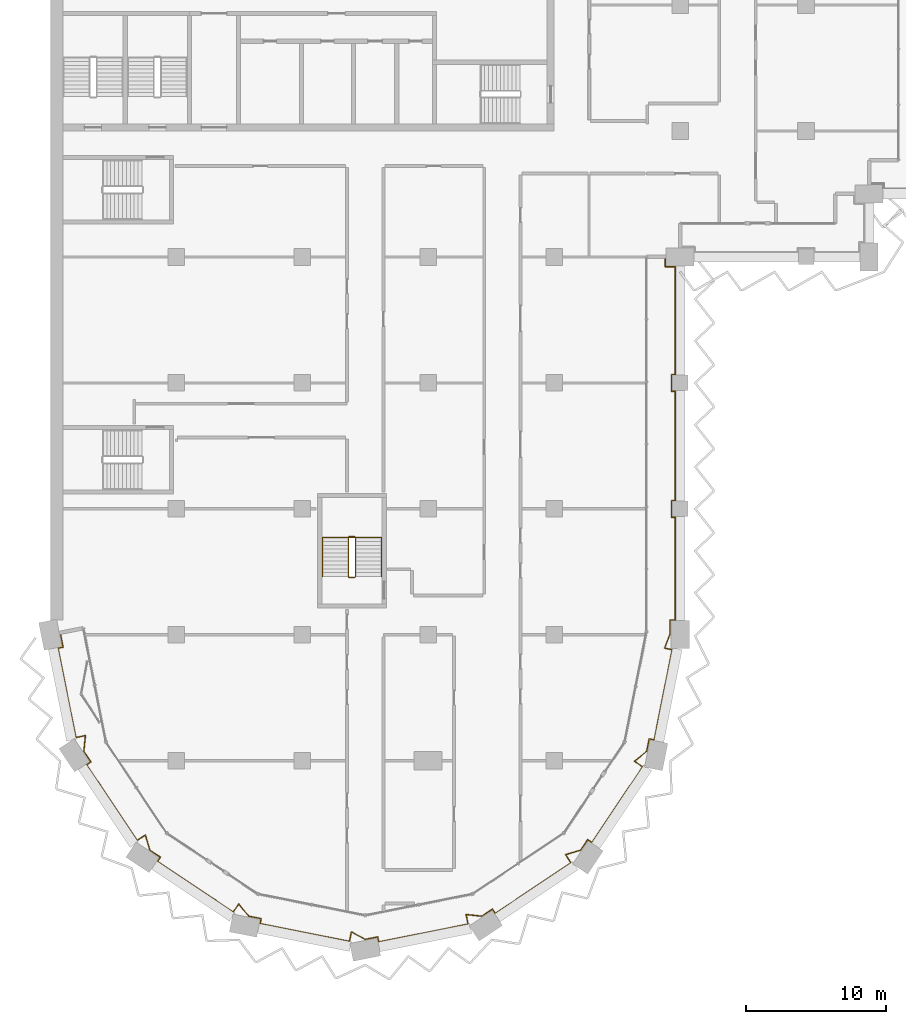
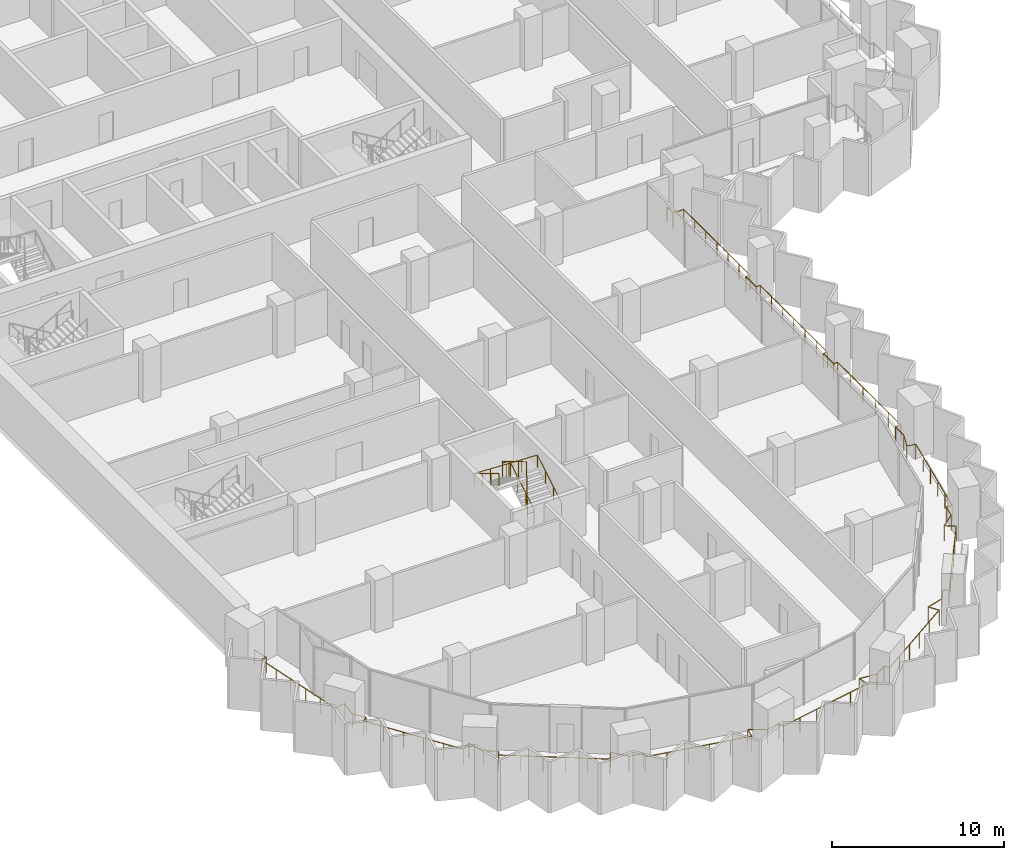
# One storey, part 20 of 23: 3 railings.
"""IFC4 building model written with IfcOpenShell, lengths in metres."""

from ifc_helpers import new_model, si_unit, direction, frame, origin, origin_2d, place, context, subcontext, project, spatial, circle, extrude, material, type_object, element, save


model = new_model("IFC4")

# Units and contexts
model_context = context("Model", 3, precision=1e-05, world=origin(), true_north=direction((0.0, 1.0)))
body_context = subcontext(model_context, "Body", "Model", "MODEL_VIEW")
ifc_project = project(units=[si_unit("LENGTHUNIT", "METRE"), si_unit("AREAUNIT", "SQUARE_METRE"), si_unit("VOLUMEUNIT", "CUBIC_METRE"), si_unit("PLANEANGLEUNIT", "RADIAN"), si_unit("MASSUNIT", "GRAM", prefix="KILO")], contexts=[model_context])

# Site, building, storey
site_placement = place(None, origin())
site = spatial("IfcSite", under=ifc_project, at=site_placement, CompositionType="ELEMENT")
building_placement = place(site_placement, origin())
building = spatial("IfcBuilding", under=site, at=building_placement, Name="Hunhe Ridgeline Campus", CompositionType="ELEMENT")
storey_placement = place(building_placement, frame((0.0, 0.0, 167.10009765625)))
storey = spatial("IfcBuildingStorey", under=building, at=storey_placement, Name="L42", CompositionType="ELEMENT", Elevation=167.10009765625)

# Railings
ifc_material_1 = material(Name="Steel Q355", Category="steel")
railing_type_1 = type_object("IfcRailingType", Name="Loggia guard 1100 Steel Q355", PredefinedType="GUARDRAIL", material=ifc_material_1)
railing_1_placement = place(storey_placement, frame((0.7060546875, 27.140380859375, 0.0)))
element("IfcRailing", 1, at=railing_1_placement, inside=storey, type_object=railing_type_1, Name="Loggia guard 1", PredefinedType="GUARDRAIL", context=body_context, shape_type="SweptSolid", body=[
    extrude(circle(Radius=0.02392578125, at=origin_2d()), frame((0.0, 0.0, 1.076171875), z_axis=(0.195087556151, -0.980785830564, 0.0), x_axis=(0.980785830564, 0.195087556151, 0.0)), (0.0, 0.0, 1.0), 1.050048828125),
    extrude(circle(Radius=0.02392578125, at=origin_2d()), frame((0.204833984375, -1.02978515625, 1.076171875), z_axis=(-0.980858940504, -0.194719641621, 0.0), x_axis=(0.194719641621, -0.980858940504, 0.0)), (0.0, 0.0, 1.0), 0.369873046875),
    extrude(circle(Radius=0.02392578125, at=origin_2d()), frame((-0.157958984375, -1.101806640625, 1.076171875), z_axis=(0.19507695386, -0.9807879394, 0.0), x_axis=(0.9807879394, 0.19507695386, 0.0)), (0.0, 0.0, 1.0), 6.506591796875),
    extrude(circle(Radius=0.02392578125, at=origin_2d()), frame((1.111328125, -7.4833984375, 1.076171875), z_axis=(0.980780459814, 0.195114555191, 0.0), x_axis=(-0.195114555191, 0.980780459814, 0.0)), (0.0, 0.0, 1.0), 0.703125),
    extrude(circle(Radius=0.02392578125, at=origin_2d()), frame((1.801025390625, -7.34619140625, 1.076171875), z_axis=(-0.102884402445, -0.994693319437, 0.0), x_axis=(0.994693319437, -0.102884402445, 0.0)), (0.0, 0.0, 1.0), 1.129638671875),
    extrude(circle(Radius=0.02392578125, at=origin_2d()), frame((1.684814453125, -8.4697265625, 1.076171875), z_axis=(0.555569523548, -0.831470086356, 0.0), x_axis=(0.831470086356, 0.555569523548, 0.0)), (0.0, 0.0, 1.0), 0.906982421875),
    extrude(circle(Radius=0.02392578125, at=origin_2d()), frame((2.188720703125, -9.223876953125, 1.076171875), z_axis=(-0.831440678638, -0.555613532868, 0.0), x_axis=(0.555613532868, -0.831440678638, 0.0)), (0.0, 0.0, 1.0), 0.369873046875),
    extrude(circle(Radius=0.02392578125, at=origin_2d()), frame((1.881103515625, -9.429443359375, 1.076171875), z_axis=(0.55556581165, -0.83147256655, 0.0), x_axis=(0.83147256655, 0.55556581165, 0.0)), (0.0, 0.0, 1.0), 6.50634765625),
    extrude(circle(Radius=0.02392578125, at=origin_2d()), frame((5.495849609375, -14.83935546875, 1.076171875), z_axis=(0.831355400166, 0.555741125539, 0.0), x_axis=(-0.555741125539, 0.831355400166, 0.0)), (0.0, 0.0, 1.0), 0.703369140625),
    extrude(circle(Radius=0.02392578125, at=origin_2d()), frame((6.08056640625, -14.448486328125, 1.076171875), z_axis=(0.285463917281, -0.958389457335, 0.0), x_axis=(0.958389457335, 0.285463917281, 0.0)), (0.0, 0.0, 1.0), 1.1298828125),
    extrude(circle(Radius=0.02392578125, at=origin_2d()), frame((6.403076171875, -15.53125, 1.076171875), z_axis=(0.831511358569, -0.555507750235, 0.0), x_axis=(0.555507750235, 0.831511358569, 0.0)), (0.0, 0.0, 1.0), 0.90673828125),
    extrude(circle(Radius=0.02392578125, at=origin_2d()), frame((7.156982421875, -16.034912109375, 1.076171875), z_axis=(-0.555613532868, -0.831440678638, 0.0), x_axis=(0.831440678638, -0.555613532868, 0.0)), (0.0, 0.0, 1.0), 0.369873046875),
    extrude(circle(Radius=0.02392578125, at=origin_2d()), frame((6.951416015625, -16.342529296875, 1.076171875), z_axis=(0.831455233209, -0.555591752251, 0.0), x_axis=(0.555591752251, 0.831455233209, 0.0)), (0.0, 0.0, 1.0), 6.506591796875),
    extrude(circle(Radius=0.02392578125, at=origin_2d()), frame((12.361328125, -19.95751953125, 1.076171875), z_axis=(0.555741125539, 0.831355400166, 0.0), x_axis=(-0.831355400166, 0.555741125539, 0.0)), (0.0, 0.0, 1.0), 0.703369140625),
    extrude(circle(Radius=0.02392578125, at=origin_2d()), frame((12.752197265625, -19.372802734375, 1.076171875), z_axis=(0.630633305327, -0.776080945657, 0.0), x_axis=(0.776080945657, 0.630633305327, 0.0)), (0.0, 0.0, 1.0), 1.129638671875),
    extrude(circle(Radius=0.02392578125, at=origin_2d()), frame((13.464599609375, -20.24951171875, 1.076171875), z_axis=(0.980807887006, -0.194976636516, 0.0), x_axis=(0.194976636516, 0.980807887006, 0.0)), (0.0, 0.0, 1.0), 0.906494140625),
    extrude(circle(Radius=0.02392578125, at=origin_2d()), frame((14.353759765625, -20.42626953125, 1.076171875), z_axis=(-0.194593653816, -0.980883943132, 0.0), x_axis=(0.980883943132, -0.194593653816, 0.0)), (0.0, 0.0, 1.0), 0.3701171875),
    extrude(circle(Radius=0.02392578125, at=origin_2d()), frame((14.28173828125, -20.789306640625, 1.076171875), z_axis=(0.98078651142, -0.195084133173, 0.0), x_axis=(0.195084133173, 0.98078651142, 0.0)), (0.0, 0.0, 1.0), 6.50634765625),
    extrude(circle(Radius=0.02392578125, at=origin_2d()), frame((20.6630859375, -22.05859375, 1.076171875), z_axis=(0.195114555191, 0.980780459814, 0.0), x_axis=(-0.980780459814, 0.195114555191, 0.0)), (0.0, 0.0, 1.0), 0.703125),
    extrude(circle(Radius=0.02392578125, at=origin_2d()), frame((20.80029296875, -21.368896484375, 1.076171875), z_axis=(0.879616090555, -0.475684278946, 0.0), x_axis=(0.475684278946, 0.879616090555, 0.0)), (0.0, 0.0, 1.0), 1.129638671875),
    extrude(circle(Radius=0.02392578125, at=origin_2d()), frame((21.7939453125, -21.90625, 1.076171875), z_axis=(0.98081812081, 0.194925149456, 0.0), x_axis=(-0.194925149456, 0.98081812081, 0.0)), (0.0, 0.0, 1.0), 0.90673828125),
    extrude(circle(Radius=0.02392578125, at=origin_2d()), frame((22.683349609375, -21.7294921875, 1.076171875), z_axis=(0.194719641621, -0.980858940504, 0.0), x_axis=(0.980858940504, 0.194719641621, 0.0)), (0.0, 0.0, 1.0), 0.369873046875),
    extrude(circle(Radius=0.02392578125, at=origin_2d()), frame((22.75537109375, -22.09228515625, 1.076171875), z_axis=(0.9807879394, 0.19507695386, 0.0), x_axis=(-0.19507695386, 0.9807879394, 0.0)), (0.0, 0.0, 1.0), 6.506591796875),
    extrude(circle(Radius=0.02392578125, at=origin_2d()), frame((29.136962890625, -20.822998046875, 1.076171875), z_axis=(-0.195114555191, 0.980780459814, 0.0), x_axis=(-0.980780459814, -0.195114555191, 0.0)), (0.0, 0.0, 1.0), 0.703125),
    extrude(circle(Radius=0.02392578125, at=origin_2d()), frame((28.999755859375, -20.13330078125, 1.076171875), z_axis=(0.994693319437, -0.102884402445, 0.0), x_axis=(0.102884402445, 0.994693319437, 0.0)), (0.0, 0.0, 1.0), 1.129638671875),
    extrude(circle(Radius=0.02392578125, at=origin_2d()), frame((30.123291015625, -20.24951171875, 1.076171875), z_axis=(0.831470086356, 0.555569523548, 0.0), x_axis=(-0.555569523548, 0.831470086356, 0.0)), (0.0, 0.0, 1.0), 0.906982421875),
    extrude(circle(Radius=0.02392578125, at=origin_2d()), frame((30.87744140625, -19.74560546875, 1.076171875), z_axis=(0.555613532868, -0.831440678638, 0.0), x_axis=(0.831440678638, 0.555613532868, 0.0)), (0.0, 0.0, 1.0), 0.369873046875),
    extrude(circle(Radius=0.02392578125, at=origin_2d()), frame((31.0830078125, -20.05322265625, 1.076171875), z_axis=(0.83147256655, 0.55556581165, 0.0), x_axis=(-0.55556581165, 0.83147256655, 0.0)), (0.0, 0.0, 1.0), 6.50634765625),
    extrude(circle(Radius=0.02392578125, at=origin_2d()), frame((36.492919921875, -16.4384765625, 1.076171875), z_axis=(-0.555741125539, 0.831355400166, 0.0), x_axis=(-0.831355400166, -0.555741125539, 0.0)), (0.0, 0.0, 1.0), 0.703369140625),
    extrude(circle(Radius=0.02392578125, at=origin_2d()), frame((36.10205078125, -15.853759765625, 1.076171875), z_axis=(0.958389457335, 0.285463917281, 0.0), x_axis=(-0.285463917281, 0.958389457335, 0.0)), (0.0, 0.0, 1.0), 1.1298828125),
    extrude(circle(Radius=0.02392578125, at=origin_2d()), frame((37.184814453125, -15.53125, 1.076171875), z_axis=(0.555507750235, 0.831511358569, 0.0), x_axis=(-0.831511358569, 0.555507750235, 0.0)), (0.0, 0.0, 1.0), 0.90673828125),
    extrude(circle(Radius=0.02392578125, at=origin_2d()), frame((37.6884765625, -14.77734375, 1.076171875), z_axis=(0.831440678638, -0.555613532868, 0.0), x_axis=(0.555613532868, 0.831440678638, 0.0)), (0.0, 0.0, 1.0), 0.369873046875),
    extrude(circle(Radius=0.02392578125, at=origin_2d()), frame((37.99609375, -14.98291015625, 1.076171875), z_axis=(0.555591752251, 0.831455233209, 0.0), x_axis=(-0.831455233209, 0.555591752251, 0.0)), (0.0, 0.0, 1.0), 6.506591796875),
    extrude(circle(Radius=0.02392578125, at=origin_2d()), frame((41.611083984375, -9.572998046875, 1.076171875), z_axis=(-0.831355400166, 0.555741125539, 0.0), x_axis=(-0.555741125539, -0.831355400166, 0.0)), (0.0, 0.0, 1.0), 0.703369140625),
    extrude(circle(Radius=0.02392578125, at=origin_2d()), frame((41.0263671875, -9.18212890625, 1.076171875), z_axis=(0.776080945657, 0.630633305327, 0.0), x_axis=(-0.630633305327, 0.776080945657, 0.0)), (0.0, 0.0, 1.0), 1.129638671875),
    extrude(circle(Radius=0.02392578125, at=origin_2d()), frame((41.903076171875, -8.4697265625, 1.076171875), z_axis=(0.194976636516, 0.980807887006, 0.0), x_axis=(-0.980807887006, 0.194976636516, 0.0)), (0.0, 0.0, 1.0), 0.906494140625),
    extrude(circle(Radius=0.02392578125, at=origin_2d()), frame((42.079833984375, -7.58056640625, 1.076171875), z_axis=(0.980883943132, -0.194593653816, 0.0), x_axis=(0.194593653816, 0.980883943132, 0.0)), (0.0, 0.0, 1.0), 0.3701171875),
    extrude(circle(Radius=0.02392578125, at=origin_2d()), frame((42.44287109375, -7.652587890625, 1.076171875), z_axis=(0.195087191819, 0.980785903033, 0.0), x_axis=(-0.980785903033, 0.195087191819, 0.0)), (0.0, 0.0, 1.0), 6.5712890625),
    extrude(circle(Radius=0.02392578125, at=origin_2d()), frame((43.724853515625, -1.20751953125, 1.076171875), z_axis=(-0.9807502228, 0.195266485801, 0.0), x_axis=(-0.195266485801, -0.9807502228, 0.0)), (0.0, 0.0, 1.0), 0.552734375),
    extrude(circle(Radius=0.02392578125, at=origin_2d()), frame((43.182861328125, -1.099609375, 1.076171875), z_axis=(0.354981524628, 0.934873316109, 0.0), x_axis=(-0.934873316109, 0.354981524628, 0.0)), (0.0, 0.0, 1.0), 1.101806640625),
    extrude(circle(Radius=0.02392578125, at=origin_2d()), frame((43.573974609375, -0.069580078125, 1.076171875), z_axis=(0.0, 1.0, 0.0), x_axis=(-1.0, 0.0, 0.0)), (0.0, 0.0, 1.0), 0.979248046875),
    extrude(circle(Radius=0.02392578125, at=origin_2d()), frame((43.573974609375, 0.90966796875, 1.076171875), z_axis=(1.0, 0.0, 0.0), x_axis=(0.0, 1.0, 0.0)), (0.0, 0.0, 1.0), 0.369873046875),
    extrude(circle(Radius=0.02392578125, at=origin_2d()), frame((43.94384765625, 0.90966796875, 1.076171875), z_axis=(0.0, 1.0, 0.0), x_axis=(-1.0, 0.0, 0.0)), (0.0, 0.0, 1.0), 7.349853515625),
    extrude(circle(Radius=0.02392578125, at=origin_2d()), frame((43.94384765625, 8.259521484375, 1.076171875), z_axis=(-1.0, 0.0, 0.0), x_axis=(0.0, -1.0, 0.0)), (0.0, 0.0, 1.0), 0.27001953125),
    extrude(circle(Radius=0.02392578125, at=origin_2d()), frame((43.673828125, 8.259521484375, 1.076171875), z_axis=(0.0, 1.0, 0.0), x_axis=(-1.0, 0.0, 0.0)), (0.0, 0.0, 1.0), 1.2001953125),
    extrude(circle(Radius=0.02392578125, at=origin_2d()), frame((43.673828125, 9.459716796875, 1.076171875), z_axis=(1.0, 0.0, 0.0), x_axis=(0.0, 1.0, 0.0)), (0.0, 0.0, 1.0), 0.27001953125),
    extrude(circle(Radius=0.02392578125, at=origin_2d()), frame((43.94384765625, 9.459716796875, 1.076171875), z_axis=(0.0, 1.0, 0.0), x_axis=(-1.0, 0.0, 0.0)), (0.0, 0.0, 1.0), 7.7998046875),
    extrude(circle(Radius=0.02392578125, at=origin_2d()), frame((43.94384765625, 17.259521484375, 1.076171875), z_axis=(-1.0, 0.0, 0.0), x_axis=(0.0, -1.0, 0.0)), (0.0, 0.0, 1.0), 0.27001953125),
    extrude(circle(Radius=0.02392578125, at=origin_2d()), frame((43.673828125, 17.259521484375, 1.076171875), z_axis=(0.0, 1.0, 0.0), x_axis=(-1.0, 0.0, 0.0)), (0.0, 0.0, 1.0), 1.2001953125),
    extrude(circle(Radius=0.02392578125, at=origin_2d()), frame((43.673828125, 18.459716796875, 1.076171875), z_axis=(1.0, 0.0, 0.0), x_axis=(0.0, 1.0, 0.0)), (0.0, 0.0, 1.0), 0.27001953125),
    extrude(circle(Radius=0.02392578125, at=origin_2d()), frame((43.94384765625, 18.459716796875, 1.076171875), z_axis=(0.0, 1.0, 0.0), x_axis=(-1.0, 0.0, 0.0)), (0.0, 0.0, 1.0), 7.699951171875),
    extrude(circle(Radius=0.02392578125, at=origin_2d()), frame((43.94384765625, 26.15966796875, 1.076171875), z_axis=(-1.0, 0.0, 0.0), x_axis=(0.0, -1.0, 0.0)), (0.0, 0.0, 1.0), 0.719970703125),
    extrude(circle(Radius=0.02392578125, at=origin_2d()), frame((43.223876953125, 26.15966796875, 1.076171875), z_axis=(0.0, 1.0, 0.0), x_axis=(-1.0, 0.0, 0.0)), (0.0, 0.0, 1.0), 0.699951171875),
    extrude(circle(Radius=0.02099609375, at=origin_2d()), origin(), (0.0, 0.0, 1.0), 1.052001953125),
    extrude(circle(Radius=0.02099609375, at=origin_2d()), frame((0.204833984375, -1.02978515625, 0.0)), (0.0, 0.0, 1.0), 1.052001953125),
    extrude(circle(Radius=0.02099609375, at=origin_2d()), frame((-0.157958984375, -1.101806640625, 0.0)), (0.0, 0.0, 1.0), 1.052001953125),
    extrude(circle(Radius=0.02099609375, at=origin_2d()), frame((0.095947265625, -2.378173828125, 0.0)), (0.0, 0.0, 1.0), 1.052001953125),
    extrude(circle(Radius=0.02099609375, at=origin_2d()), frame((0.349853515625, -3.654541015625, 0.0)), (0.0, 0.0, 1.0), 1.052001953125),
    extrude(circle(Radius=0.02099609375, at=origin_2d()), frame((0.603515625, -4.9306640625, 0.0)), (0.0, 0.0, 1.0), 1.052001953125),
    extrude(circle(Radius=0.02099609375, at=origin_2d()), frame((0.857421875, -6.20703125, 0.0)), (0.0, 0.0, 1.0), 1.052001953125),
    extrude(circle(Radius=0.02099609375, at=origin_2d()), frame((1.111328125, -7.4833984375, 0.0)), (0.0, 0.0, 1.0), 1.052001953125),
    extrude(circle(Radius=0.02099609375, at=origin_2d()), frame((1.801025390625, -7.34619140625, 0.0)), (0.0, 0.0, 1.0), 1.052001953125),
    extrude(circle(Radius=0.02099609375, at=origin_2d()), frame((1.684814453125, -8.4697265625, 0.0)), (0.0, 0.0, 1.0), 1.052001953125),
    extrude(circle(Radius=0.02099609375, at=origin_2d()), frame((2.188720703125, -9.223876953125, 0.0)), (0.0, 0.0, 1.0), 1.052001953125),
    extrude(circle(Radius=0.02099609375, at=origin_2d()), frame((1.881103515625, -9.429443359375, 0.0)), (0.0, 0.0, 1.0), 1.052001953125),
    extrude(circle(Radius=0.02099609375, at=origin_2d()), frame((2.60400390625, -10.511474609375, 0.0)), (0.0, 0.0, 1.0), 1.052001953125),
    extrude(circle(Radius=0.02099609375, at=origin_2d()), frame((3.326904296875, -11.593505859375, 0.0)), (0.0, 0.0, 1.0), 1.052001953125),
    extrude(circle(Radius=0.02099609375, at=origin_2d()), frame((4.050048828125, -12.67529296875, 0.0)), (0.0, 0.0, 1.0), 1.052001953125),
    extrude(circle(Radius=0.02099609375, at=origin_2d()), frame((4.77294921875, -13.75732421875, 0.0)), (0.0, 0.0, 1.0), 1.052001953125),
    extrude(circle(Radius=0.02099609375, at=origin_2d()), frame((5.495849609375, -14.83935546875, 0.0)), (0.0, 0.0, 1.0), 1.052001953125),
    extrude(circle(Radius=0.02099609375, at=origin_2d()), frame((6.08056640625, -14.448486328125, 0.0)), (0.0, 0.0, 1.0), 1.052001953125),
    extrude(circle(Radius=0.02099609375, at=origin_2d()), frame((6.403076171875, -15.53125, 0.0)), (0.0, 0.0, 1.0), 1.052001953125),
    extrude(circle(Radius=0.02099609375, at=origin_2d()), frame((7.156982421875, -16.034912109375, 0.0)), (0.0, 0.0, 1.0), 1.052001953125),
    extrude(circle(Radius=0.02099609375, at=origin_2d()), frame((6.951416015625, -16.342529296875, 0.0)), (0.0, 0.0, 1.0), 1.052001953125),
    extrude(circle(Radius=0.02099609375, at=origin_2d()), frame((8.033447265625, -17.0654296875, 0.0)), (0.0, 0.0, 1.0), 1.052001953125),
    extrude(circle(Radius=0.02099609375, at=origin_2d()), frame((9.115478515625, -17.78857421875, 0.0)), (0.0, 0.0, 1.0), 1.052001953125),
    extrude(circle(Radius=0.02099609375, at=origin_2d()), frame((10.197265625, -18.511474609375, 0.0)), (0.0, 0.0, 1.0), 1.052001953125),
    extrude(circle(Radius=0.02099609375, at=origin_2d()), frame((11.279296875, -19.234619140625, 0.0)), (0.0, 0.0, 1.0), 1.052001953125),
    extrude(circle(Radius=0.02099609375, at=origin_2d()), frame((12.361328125, -19.95751953125, 0.0)), (0.0, 0.0, 1.0), 1.052001953125),
    extrude(circle(Radius=0.02099609375, at=origin_2d()), frame((12.752197265625, -19.372802734375, 0.0)), (0.0, 0.0, 1.0), 1.052001953125),
    extrude(circle(Radius=0.02099609375, at=origin_2d()), frame((13.464599609375, -20.24951171875, 0.0)), (0.0, 0.0, 1.0), 1.052001953125),
    extrude(circle(Radius=0.02099609375, at=origin_2d()), frame((14.353759765625, -20.42626953125, 0.0)), (0.0, 0.0, 1.0), 1.052001953125),
    extrude(circle(Radius=0.02099609375, at=origin_2d()), frame((14.28173828125, -20.789306640625, 0.0)), (0.0, 0.0, 1.0), 1.052001953125),
    extrude(circle(Radius=0.02099609375, at=origin_2d()), frame((15.55810546875, -21.043212890625, 0.0)), (0.0, 0.0, 1.0), 1.052001953125),
    extrude(circle(Radius=0.02099609375, at=origin_2d()), frame((16.834228515625, -21.297119140625, 0.0)), (0.0, 0.0, 1.0), 1.052001953125),
    extrude(circle(Radius=0.02099609375, at=origin_2d()), frame((18.110595703125, -21.55078125, 0.0)), (0.0, 0.0, 1.0), 1.052001953125),
    extrude(circle(Radius=0.02099609375, at=origin_2d()), frame((19.38671875, -21.8046875, 0.0)), (0.0, 0.0, 1.0), 1.052001953125),
    extrude(circle(Radius=0.02099609375, at=origin_2d()), frame((20.6630859375, -22.05859375, 0.0)), (0.0, 0.0, 1.0), 1.052001953125),
    extrude(circle(Radius=0.02099609375, at=origin_2d()), frame((20.80029296875, -21.368896484375, 0.0)), (0.0, 0.0, 1.0), 1.052001953125),
    extrude(circle(Radius=0.02099609375, at=origin_2d()), frame((21.7939453125, -21.90625, 0.0)), (0.0, 0.0, 1.0), 1.052001953125),
    extrude(circle(Radius=0.02099609375, at=origin_2d()), frame((22.683349609375, -21.7294921875, 0.0)), (0.0, 0.0, 1.0), 1.052001953125),
    extrude(circle(Radius=0.02099609375, at=origin_2d()), frame((22.75537109375, -22.09228515625, 0.0)), (0.0, 0.0, 1.0), 1.052001953125),
    extrude(circle(Radius=0.02099609375, at=origin_2d()), frame((24.03173828125, -21.83837890625, 0.0)), (0.0, 0.0, 1.0), 1.052001953125),
    extrude(circle(Radius=0.02099609375, at=origin_2d()), frame((25.30810546875, -21.58447265625, 0.0)), (0.0, 0.0, 1.0), 1.052001953125),
    extrude(circle(Radius=0.02099609375, at=origin_2d()), frame((26.584228515625, -21.330810546875, 0.0)), (0.0, 0.0, 1.0), 1.052001953125),
    extrude(circle(Radius=0.02099609375, at=origin_2d()), frame((27.860595703125, -21.076904296875, 0.0)), (0.0, 0.0, 1.0), 1.052001953125),
    extrude(circle(Radius=0.02099609375, at=origin_2d()), frame((29.136962890625, -20.822998046875, 0.0)), (0.0, 0.0, 1.0), 1.052001953125),
    extrude(circle(Radius=0.02099609375, at=origin_2d()), frame((28.999755859375, -20.13330078125, 0.0)), (0.0, 0.0, 1.0), 1.052001953125),
    extrude(circle(Radius=0.02099609375, at=origin_2d()), frame((30.123291015625, -20.24951171875, 0.0)), (0.0, 0.0, 1.0), 1.052001953125),
    extrude(circle(Radius=0.02099609375, at=origin_2d()), frame((30.87744140625, -19.74560546875, 0.0)), (0.0, 0.0, 1.0), 1.052001953125),
    extrude(circle(Radius=0.02099609375, at=origin_2d()), frame((31.0830078125, -20.05322265625, 0.0)), (0.0, 0.0, 1.0), 1.052001953125),
    extrude(circle(Radius=0.02099609375, at=origin_2d()), frame((32.1650390625, -19.330322265625, 0.0)), (0.0, 0.0, 1.0), 1.052001953125),
    extrude(circle(Radius=0.02099609375, at=origin_2d()), frame((33.2470703125, -18.607421875, 0.0)), (0.0, 0.0, 1.0), 1.052001953125),
    extrude(circle(Radius=0.02099609375, at=origin_2d()), frame((34.328857421875, -17.88427734375, 0.0)), (0.0, 0.0, 1.0), 1.052001953125),
    extrude(circle(Radius=0.02099609375, at=origin_2d()), frame((35.410888671875, -17.161376953125, 0.0)), (0.0, 0.0, 1.0), 1.052001953125),
    extrude(circle(Radius=0.02099609375, at=origin_2d()), frame((36.492919921875, -16.4384765625, 0.0)), (0.0, 0.0, 1.0), 1.052001953125),
    extrude(circle(Radius=0.02099609375, at=origin_2d()), frame((36.10205078125, -15.853759765625, 0.0)), (0.0, 0.0, 1.0), 1.052001953125),
    extrude(circle(Radius=0.02099609375, at=origin_2d()), frame((37.184814453125, -15.53125, 0.0)), (0.0, 0.0, 1.0), 1.052001953125),
    extrude(circle(Radius=0.02099609375, at=origin_2d()), frame((37.6884765625, -14.77734375, 0.0)), (0.0, 0.0, 1.0), 1.052001953125),
    extrude(circle(Radius=0.02099609375, at=origin_2d()), frame((37.99609375, -14.98291015625, 0.0)), (0.0, 0.0, 1.0), 1.052001953125),
    extrude(circle(Radius=0.02099609375, at=origin_2d()), frame((38.718994140625, -13.90087890625, 0.0)), (0.0, 0.0, 1.0), 1.052001953125),
    extrude(circle(Radius=0.02099609375, at=origin_2d()), frame((39.442138671875, -12.81884765625, 0.0)), (0.0, 0.0, 1.0), 1.052001953125),
    extrude(circle(Radius=0.02099609375, at=origin_2d()), frame((40.1650390625, -11.737060546875, 0.0)), (0.0, 0.0, 1.0), 1.052001953125),
    extrude(circle(Radius=0.02099609375, at=origin_2d()), frame((40.88818359375, -10.655029296875, 0.0)), (0.0, 0.0, 1.0), 1.052001953125),
    extrude(circle(Radius=0.02099609375, at=origin_2d()), frame((41.611083984375, -9.572998046875, 0.0)), (0.0, 0.0, 1.0), 1.052001953125),
    extrude(circle(Radius=0.02099609375, at=origin_2d()), frame((41.0263671875, -9.18212890625, 0.0)), (0.0, 0.0, 1.0), 1.052001953125),
    extrude(circle(Radius=0.02099609375, at=origin_2d()), frame((41.903076171875, -8.4697265625, 0.0)), (0.0, 0.0, 1.0), 1.052001953125),
    extrude(circle(Radius=0.02099609375, at=origin_2d()), frame((42.079833984375, -7.58056640625, 0.0)), (0.0, 0.0, 1.0), 1.052001953125),
    extrude(circle(Radius=0.02099609375, at=origin_2d()), frame((42.44287109375, -7.652587890625, 0.0)), (0.0, 0.0, 1.0), 1.052001953125),
    extrude(circle(Radius=0.02099609375, at=origin_2d()), frame((42.69921875, -6.363525390625, 0.0)), (0.0, 0.0, 1.0), 1.052001953125),
    extrude(circle(Radius=0.02099609375, at=origin_2d()), frame((42.95556640625, -5.074462890625, 0.0)), (0.0, 0.0, 1.0), 1.052001953125),
    extrude(circle(Radius=0.02099609375, at=origin_2d()), frame((43.212158203125, -3.78564453125, 0.0)), (0.0, 0.0, 1.0), 1.052001953125),
    extrude(circle(Radius=0.02099609375, at=origin_2d()), frame((43.468505859375, -2.49658203125, 0.0)), (0.0, 0.0, 1.0), 1.052001953125),
    extrude(circle(Radius=0.02099609375, at=origin_2d()), frame((43.724853515625, -1.20751953125, 0.0)), (0.0, 0.0, 1.0), 1.052001953125),
    extrude(circle(Radius=0.02099609375, at=origin_2d()), frame((43.182861328125, -1.099609375, 0.0)), (0.0, 0.0, 1.0), 1.052001953125),
    extrude(circle(Radius=0.02099609375, at=origin_2d()), frame((43.573974609375, -0.069580078125, 0.0)), (0.0, 0.0, 1.0), 1.052001953125),
    extrude(circle(Radius=0.02099609375, at=origin_2d()), frame((43.573974609375, 0.90966796875, 0.0)), (0.0, 0.0, 1.0), 1.052001953125),
    extrude(circle(Radius=0.02099609375, at=origin_2d()), frame((43.94384765625, 0.90966796875, 0.0)), (0.0, 0.0, 1.0), 1.052001953125),
    extrude(circle(Radius=0.02099609375, at=origin_2d()), frame((43.94384765625, 2.379638671875, 0.0)), (0.0, 0.0, 1.0), 1.052001953125),
    extrude(circle(Radius=0.02099609375, at=origin_2d()), frame((43.94384765625, 3.849609375, 0.0)), (0.0, 0.0, 1.0), 1.052001953125),
    extrude(circle(Radius=0.02099609375, at=origin_2d()), frame((43.94384765625, 5.319580078125, 0.0)), (0.0, 0.0, 1.0), 1.052001953125),
    extrude(circle(Radius=0.02099609375, at=origin_2d()), frame((43.94384765625, 6.78955078125, 0.0)), (0.0, 0.0, 1.0), 1.052001953125),
    extrude(circle(Radius=0.02099609375, at=origin_2d()), frame((43.94384765625, 8.259521484375, 0.0)), (0.0, 0.0, 1.0), 1.052001953125),
    extrude(circle(Radius=0.02099609375, at=origin_2d()), frame((43.673828125, 8.259521484375, 0.0)), (0.0, 0.0, 1.0), 1.052001953125),
    extrude(circle(Radius=0.02099609375, at=origin_2d()), frame((43.673828125, 9.459716796875, 0.0)), (0.0, 0.0, 1.0), 1.052001953125),
    extrude(circle(Radius=0.02099609375, at=origin_2d()), frame((43.94384765625, 9.459716796875, 0.0)), (0.0, 0.0, 1.0), 1.052001953125),
    extrude(circle(Radius=0.02099609375, at=origin_2d()), frame((43.94384765625, 10.759765625, 0.0)), (0.0, 0.0, 1.0), 1.052001953125),
    extrude(circle(Radius=0.02099609375, at=origin_2d()), frame((43.94384765625, 12.0595703125, 0.0)), (0.0, 0.0, 1.0), 1.052001953125),
    extrude(circle(Radius=0.02099609375, at=origin_2d()), frame((43.94384765625, 13.359619140625, 0.0)), (0.0, 0.0, 1.0), 1.052001953125),
    extrude(circle(Radius=0.02099609375, at=origin_2d()), frame((43.94384765625, 14.65966796875, 0.0)), (0.0, 0.0, 1.0), 1.052001953125),
    extrude(circle(Radius=0.02099609375, at=origin_2d()), frame((43.94384765625, 15.95947265625, 0.0)), (0.0, 0.0, 1.0), 1.052001953125),
    extrude(circle(Radius=0.02099609375, at=origin_2d()), frame((43.94384765625, 17.259521484375, 0.0)), (0.0, 0.0, 1.0), 1.052001953125),
    extrude(circle(Radius=0.02099609375, at=origin_2d()), frame((43.673828125, 17.259521484375, 0.0)), (0.0, 0.0, 1.0), 1.052001953125),
    extrude(circle(Radius=0.02099609375, at=origin_2d()), frame((43.673828125, 18.459716796875, 0.0)), (0.0, 0.0, 1.0), 1.052001953125),
    extrude(circle(Radius=0.02099609375, at=origin_2d()), frame((43.94384765625, 18.459716796875, 0.0)), (0.0, 0.0, 1.0), 1.052001953125),
    extrude(circle(Radius=0.02099609375, at=origin_2d()), frame((43.94384765625, 19.7431640625, 0.0)), (0.0, 0.0, 1.0), 1.052001953125),
    extrude(circle(Radius=0.02099609375, at=origin_2d()), frame((43.94384765625, 21.0263671875, 0.0)), (0.0, 0.0, 1.0), 1.052001953125),
    extrude(circle(Radius=0.02099609375, at=origin_2d()), frame((43.94384765625, 22.3095703125, 0.0)), (0.0, 0.0, 1.0), 1.052001953125),
    extrude(circle(Radius=0.02099609375, at=origin_2d()), frame((43.94384765625, 23.593017578125, 0.0)), (0.0, 0.0, 1.0), 1.052001953125),
    extrude(circle(Radius=0.02099609375, at=origin_2d()), frame((43.94384765625, 24.87646484375, 0.0)), (0.0, 0.0, 1.0), 1.052001953125),
    extrude(circle(Radius=0.02099609375, at=origin_2d()), frame((43.94384765625, 26.15966796875, 0.0)), (0.0, 0.0, 1.0), 1.052001953125),
    extrude(circle(Radius=0.02099609375, at=origin_2d()), frame((43.223876953125, 26.15966796875, 0.0)), (0.0, 0.0, 1.0), 1.052001953125),
    extrude(circle(Radius=0.02099609375, at=origin_2d()), frame((43.223876953125, 26.859619140625, 0.0)), (0.0, 0.0, 1.0), 1.052001953125),
])
ifc_material_2 = material(Name="Stainless steel balustrade", Category="steel")
railing_type_2 = type_object("IfcRailingType", Name="Stair guard 1100 stainless", PredefinedType="GUARDRAIL", material=ifc_material_2)
railing_2_placement = place(storey_placement, frame((21.800048828125, 31.14990234375, 0.16796875)))
element("IfcRailing", 2, at=railing_2_placement, inside=storey, type_object=railing_type_2, Name="L42 stair W3 guard", PredefinedType="GUARDRAIL", context=body_context, shape_type="SweptSolid", body=[
    extrude(circle(Radius=0.02392578125, at=origin_2d()), frame((0.0, 0.0, 1.076171875), z_axis=(0.0, 0.857242210791, 0.514913383045), x_axis=(-1.0, 0.0, 0.0)), (0.0, 0.0, 1.0), 3.266357421875),
    extrude(circle(Radius=0.02392578125, at=origin_2d()), frame((0.0, 2.800048828125, 2.7578125), z_axis=(-0.707106781187, 0.707106781187, 0.0), x_axis=(-0.707106781187, -0.707106781187, 0.0)), (0.0, 0.0, 1.0), 0.07080078125),
    extrude(circle(Radius=0.02392578125, at=origin_2d()), frame((-0.050048828125, 2.85009765625, 2.7578125), z_axis=(-1.0, 0.0, 0.0), x_axis=(0.0, -1.0, 0.0)), (0.0, 0.0, 1.0), 0.39990234375),
    extrude(circle(Radius=0.02392578125, at=origin_2d()), frame((-0.449951171875, 2.85009765625, 2.7578125), z_axis=(-0.274243871929, -0.274243871929, 0.92172696468), x_axis=(0.707106781187, -0.707106781187, 0.0)), (0.0, 0.0, 1.0), 0.1826171875),
    extrude(circle(Radius=0.02392578125, at=origin_2d()), frame((-0.5, 2.800048828125, 2.92626953125), z_axis=(0.0, -0.857242210791, 0.514913383045), x_axis=(1.0, 0.0, 0.0)), (0.0, 0.0, 1.0), 3.266357421875),
    extrude(circle(Radius=0.02392578125, at=origin_2d()), frame((-0.5, 0.0, 4.60791015625), z_axis=(0.013524426427, -0.013458453615, -0.999817963389), x_axis=(0.705375805398, 0.708833529934, 0.0)), (0.0, 0.0, 1.0), 3.70068359375),
    extrude(circle(Radius=0.02392578125, at=origin_2d()), frame((-0.449951171875, -0.0498046875, 0.908203125), z_axis=(1.0, 0.0, 0.0), x_axis=(0.0, 1.0, 0.0)), (0.0, 0.0, 1.0), 0.39990234375),
    extrude(circle(Radius=0.02099609375, at=origin_2d()), origin(), (0.0, 0.0, 1.0), 1.052001953125),
    extrude(circle(Radius=0.02099609375, at=origin_2d()), frame((0.0, 0.933349609375, 0.560546875)), (0.0, 0.0, 1.0), 1.052001953125),
    extrude(circle(Radius=0.02099609375, at=origin_2d()), frame((0.0, 1.86669921875, 1.121337890625)), (0.0, 0.0, 1.0), 1.052001953125),
    extrude(circle(Radius=0.02099609375, at=origin_2d()), frame((0.0, 2.800048828125, 1.681884765625)), (0.0, 0.0, 1.0), 1.052001953125),
    extrude(circle(Radius=0.02099609375, at=origin_2d()), frame((-0.050048828125, 2.85009765625, 1.681884765625)), (0.0, 0.0, 1.0), 1.052001953125),
    extrude(circle(Radius=0.02099609375, at=origin_2d()), frame((-0.449951171875, 2.85009765625, 1.681884765625)), (0.0, 0.0, 1.0), 1.052001953125),
    extrude(circle(Radius=0.02099609375, at=origin_2d()), frame((-0.5, 2.800048828125, 1.85009765625)), (0.0, 0.0, 1.0), 1.052001953125),
    extrude(circle(Radius=0.02099609375, at=origin_2d()), frame((-0.5, 1.86669921875, 2.41064453125)), (0.0, 0.0, 1.0), 1.052001953125),
    extrude(circle(Radius=0.02099609375, at=origin_2d()), frame((-0.5, 0.933349609375, 2.971435546875)), (0.0, 0.0, 1.0), 1.052001953125),
    extrude(circle(Radius=0.02099609375, at=origin_2d()), frame((-0.5, 0.0, 3.531982421875)), (0.0, 0.0, 1.0), 1.052001953125),
    extrude(circle(Radius=0.02099609375, at=origin_2d()), frame((-0.487548828125, -0.012451171875, 2.60693359375)), (0.0, 0.0, 1.0), 1.052001953125),
    extrude(circle(Radius=0.02099609375, at=origin_2d()), frame((-0.47509765625, -0.02490234375, 1.68212890625)), (0.0, 0.0, 1.0), 1.052001953125),
    extrude(circle(Radius=0.02099609375, at=origin_2d()), frame((-0.46240234375, -0.037353515625, 0.757080078125)), (0.0, 0.0, 1.0), 1.052001953125),
    extrude(circle(Radius=0.02099609375, at=origin_2d()), frame((-0.449951171875, -0.0498046875, -0.16796875)), (0.0, 0.0, 1.0), 1.052001953125),
    extrude(circle(Radius=0.02099609375, at=origin_2d()), frame((-0.050048828125, -0.0498046875, -0.16796875)), (0.0, 0.0, 1.0), 1.052001953125),
])
ifc_material_3 = material(Name="Stainless steel handrail", Category="steel")
railing_type_3 = type_object("IfcRailingType", Name="Stair handrail 900 stainless", PredefinedType="HANDRAIL", material=ifc_material_3)
railing_3_placement = place(storey_placement, frame((23.64990234375, 31.14990234375, 0.16796875)))
element("IfcRailing", 3, at=railing_3_placement, inside=storey, type_object=railing_type_3, Name="L42 stair W3 handrail", PredefinedType="HANDRAIL", context=body_context, shape_type="SweptSolid", body=[
    extrude(circle(Radius=0.02392578125, at=origin_2d()), frame((0.0, 0.0, 0.8759765625), z_axis=(0.0, 0.857242210791, 0.514913383045), x_axis=(-1.0, 0.0, 0.0)), (0.0, 0.0, 1.0), 3.266357421875),
    extrude(circle(Radius=0.02392578125, at=origin_2d()), frame((0.0, 2.800048828125, 2.5576171875), z_axis=(-0.999198916169, 0.0, 0.040019069537), x_axis=(0.0, -1.0, 0.0)), (0.0, 0.0, 1.0), 4.203369140625),
    extrude(circle(Radius=0.02392578125, at=origin_2d()), frame((-4.199951171875, 2.800048828125, 2.72607421875), z_axis=(0.0, -0.857242210791, 0.514913383045), x_axis=(1.0, 0.0, 0.0)), (0.0, 0.0, 1.0), 3.266357421875),
    extrude(circle(Radius=0.02099609375, at=origin_2d()), origin(), (0.0, 0.0, 1.0), 0.851806640625),
    extrude(circle(Radius=0.02099609375, at=origin_2d()), frame((0.0, 0.933349609375, 0.560546875)), (0.0, 0.0, 1.0), 0.851806640625),
    extrude(circle(Radius=0.02099609375, at=origin_2d()), frame((0.0, 1.86669921875, 1.121337890625)), (0.0, 0.0, 1.0), 0.851806640625),
    extrude(circle(Radius=0.02099609375, at=origin_2d()), frame((0.0, 2.800048828125, 1.681884765625)), (0.0, 0.0, 1.0), 0.851806640625),
    extrude(circle(Radius=0.02099609375, at=origin_2d()), frame((-1.050048828125, 2.800048828125, 1.723876953125)), (0.0, 0.0, 1.0), 0.851806640625),
    extrude(circle(Radius=0.02099609375, at=origin_2d()), frame((-2.10009765625, 2.800048828125, 1.76611328125)), (0.0, 0.0, 1.0), 0.851806640625),
    extrude(circle(Radius=0.02099609375, at=origin_2d()), frame((-3.14990234375, 2.800048828125, 1.80810546875)), (0.0, 0.0, 1.0), 0.851806640625),
    extrude(circle(Radius=0.02099609375, at=origin_2d()), frame((-4.199951171875, 2.800048828125, 1.85009765625)), (0.0, 0.0, 1.0), 0.851806640625),
    extrude(circle(Radius=0.02099609375, at=origin_2d()), frame((-4.199951171875, 1.86669921875, 2.41064453125)), (0.0, 0.0, 1.0), 0.851806640625),
    extrude(circle(Radius=0.02099609375, at=origin_2d()), frame((-4.199951171875, 0.933349609375, 2.971435546875)), (0.0, 0.0, 1.0), 0.851806640625),
    extrude(circle(Radius=0.02099609375, at=origin_2d()), frame((-4.199951171875, 0.0, 3.531982421875)), (0.0, 0.0, 1.0), 0.851806640625),
])

save(model, "model.ifc")
